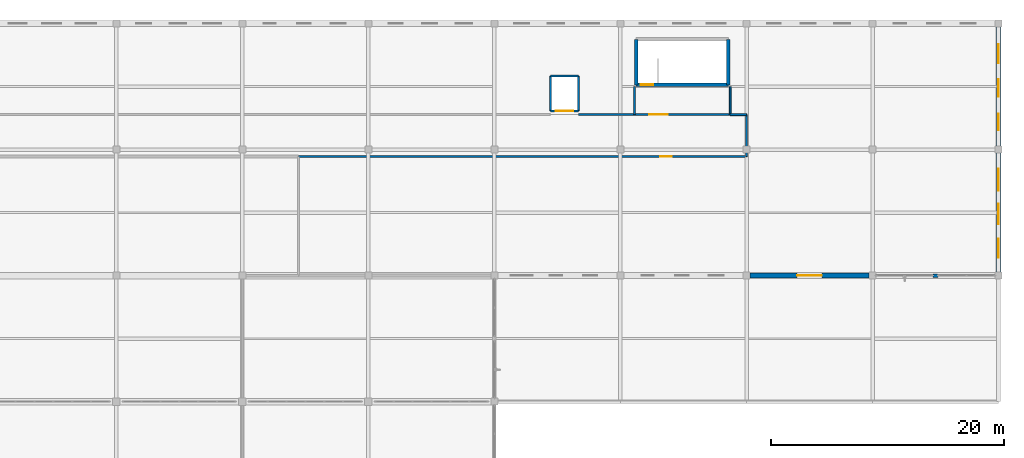
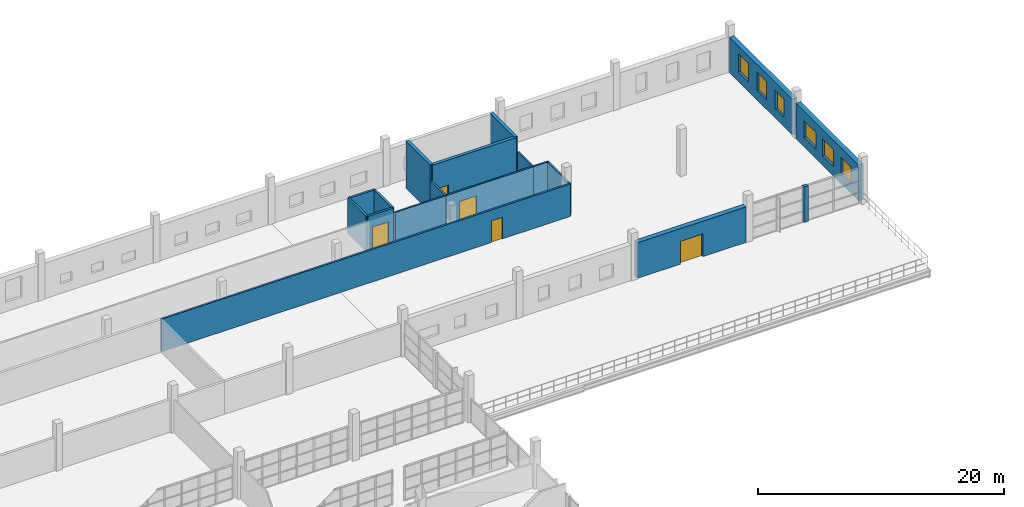
# One storey, part 116 of 142: 18 walls, 6 windows, 5 doors, 11 openings.
"""IFC4 building model written with IfcOpenShell, lengths in metres."""

import ifcopenshell
import ifcopenshell.guid

model = None  # the IFC model being written
_history = None  # IfcOwnerHistory: only IFC2X3 demands one
_inside = {}  # id of a spatial element -> (the spatial element, [elements in it])
_under = {}  # id of a project, library or spatial element -> (it, [spatial elements below it])
_declared = {}  # id of a project -> (the project, [libraries it declares])
_typed = {}  # id of a type object -> (the type object, [elements of that type])
_made_of = {}  # id of a material, layer set ... -> (it, [elements and type objects made of it])


def new_model(schema):
    """Start an empty IFC model of exactly this schema.

    Asked for "IFC4X3", IfcOpenShell would pick the latest addendum, in which some entities
    have other attributes; the version numbers below select the first issue.
    IFC2X3 requires an IfcOwnerHistory on every rooted entity: one is made here for all.
    """
    global model, _history
    if schema == "IFC4X3":
        model = ifcopenshell.file(schema_version=(4, 3, 0, 0))
    else:
        model = ifcopenshell.file(schema=schema)
    _inside.clear()
    _under.clear()
    _declared.clear()
    _typed.clear()
    _made_of.clear()
    _history = None
    if model.schema == "IFC2X3":
        org = make("IfcOrganization", Name="unknown")
        user = make(
            "IfcPersonAndOrganization",
            ThePerson=make("IfcPerson", FamilyName="unknown"),
            TheOrganization=org,
        )
        app = make(
            "IfcApplication",
            ApplicationDeveloper=org,
            Version="unknown",
            ApplicationFullName="unknown",
            ApplicationIdentifier="unknown",
        )
        _history = make(
            "IfcOwnerHistory",
            OwningUser=user,
            OwningApplication=app,
            ChangeAction="ADDED",
            CreationDate=0,
        )
    return model


def make(cls, **values):
    """One entity of the class cls with the attributes given. An attribute that is None is left unset."""
    return model.create_entity(
        cls, **{name: value for name, value in values.items() if value is not None}
    )


def rooted(cls, **values):
    """An entity with a GlobalId (a new one), such as an element, a storey or a relation."""
    return make(cls, GlobalId=ifcopenshell.guid.new(), OwnerHistory=_history, **values)


def si_unit(unit_type, name, prefix=None):
    """IfcSIUnit, for example si_unit("LENGTHUNIT", "METRE", prefix="MILLI")."""
    return make("IfcSIUnit", UnitType=unit_type, Prefix=prefix, Name=name)


def assignment(units):
    """IfcUnitAssignment: the units of a project."""
    return None if units is None else make("IfcUnitAssignment", Units=units)


def point(xyz):
    """IfcCartesianPoint."""
    return None if xyz is None else make("IfcCartesianPoint", Coordinates=xyz)


def direction(xyz):
    """IfcDirection."""
    return None if xyz is None else make("IfcDirection", DirectionRatios=xyz)


def frame(location, z_axis=None, x_axis=None):
    """IfcAxis2Placement3D, a coordinate frame: its origin and axes. An axis left out is left unset."""
    return make(
        "IfcAxis2Placement3D",
        Location=point(location),
        Axis=direction(z_axis),
        RefDirection=direction(x_axis),
    )


def frame_2d(location, x_axis=None):
    """IfcAxis2Placement2D, a coordinate frame in the plane: its origin and x axis."""
    return make(
        "IfcAxis2Placement2D", Location=point(location), RefDirection=direction(x_axis)
    )


def origin():
    """The frame at (0, 0, 0) with its axes left unset."""
    return frame((0.0, 0.0, 0.0))


def place(relative_to, where):
    """IfcLocalPlacement: puts the frame where relative to a parent placement (None: the world)."""
    return make(
        "IfcLocalPlacement", PlacementRelTo=relative_to, RelativePlacement=where
    )


def context(
    kind, dimensions, precision=None, world=None, true_north=None, identifier=None
):
    """IfcGeometricRepresentationContext, for example the 3D "Model" context."""
    return make(
        "IfcGeometricRepresentationContext",
        ContextIdentifier=identifier,
        ContextType=kind,
        CoordinateSpaceDimension=dimensions,
        Precision=precision,
        WorldCoordinateSystem=world,
        TrueNorth=true_north,
    )


def subcontext(parent, identifier, kind, view, scale=None):
    """IfcGeometricRepresentationSubContext, for example "Body" below "Model"."""
    return make(
        "IfcGeometricRepresentationSubContext",
        ContextIdentifier=identifier,
        ContextType=kind,
        ParentContext=parent,
        TargetScale=scale,
        TargetView=view,
    )


def project(units=None, contexts=None):
    """IfcProject with its units and contexts."""
    return rooted(
        "IfcProject",
        Name="project",
        RepresentationContexts=contexts,
        UnitsInContext=assignment(units),
    )


def spatial(cls, under=None, at=None, **own):
    """A site, building, storey or space (cls), placed at a placement, below another one or the project."""
    s = rooted(cls, ObjectPlacement=at, **own)
    if under is not None:
        _under.setdefault(under.id(), (under, []))[1].append(s)
    return s


def profile(cls, at=None, kind="AREA", **sizes):
    """A parametric profile (cls). Its sizes go by their IFC names, for example OverallWidth=200.0."""
    return make(cls, ProfileType=kind, Position=at, **sizes)


def rectangle(**sizes):
    """IfcRectangleProfileDef."""
    return profile("IfcRectangleProfileDef", **sizes)


def extrude(swept, where, along, depth):
    """IfcExtrudedAreaSolid: the profile swept, set in the frame where, extruded along a direction by depth."""
    return make(
        "IfcExtrudedAreaSolid",
        SweptArea=swept,
        Position=where,
        ExtrudedDirection=direction(along),
        Depth=depth,
    )


def shape(context_of_items, identifier, shape_type, items):
    """IfcShapeRepresentation: the items that make up one representation, for example the "Body"."""
    return make(
        "IfcShapeRepresentation",
        ContextOfItems=context_of_items,
        RepresentationIdentifier=identifier,
        RepresentationType=shape_type,
        Items=items,
    )


def material(Name=None, Category=None):
    """IfcMaterial."""
    return make("IfcMaterial", Name=Name, Category=Category)


def layer(
    of_material, thickness, ventilated=None, Name=None, Category=None, Priority=None
):
    """IfcMaterialLayer: one layer of a wall or slab, of a material (None: an air gap)."""
    return make(
        "IfcMaterialLayer",
        Material=of_material,
        LayerThickness=thickness,
        IsVentilated=ventilated,
        Name=Name,
        Category=Category,
        Priority=Priority,
    )


def layer_set(layers, Name=None):
    """IfcMaterialLayerSet."""
    return make("IfcMaterialLayerSet", MaterialLayers=layers, LayerSetName=Name)


def made_of(thing, what):
    """Note that an element or type object is made of a material, layer set ...; save() writes the relation."""
    if what is not None:
        _made_of.setdefault(what.id(), (what, []))[1].append(thing)
    return thing


def type_object(cls, material=None, **own):
    """A type object (cls), such as IfcWallType, which elements share."""
    return made_of(rooted(cls, **own), material)


def element(
    cls,
    number,
    at=None,
    inside=None,
    cuts=None,
    type_object=None,
    material=None,
    context=None,
    identifier="Body",
    shape_type=None,
    held_by="IfcProductDefinitionShape",
    body=None,
    shapes=None,
    **own,
):
    """One element of the class cls, such as IfcWall. Its Tag is "e" and its number.

    at: its placement. inside: the storey or other place that contains it. cuts: it is an
    opening in that element (IfcRelVoidsElement). A single representation is given by context,
    identifier, shape_type and body (its items); several are given by shapes. held_by: the class
    of the entity that holds the representations. save() writes the other relations.
    """
    e = rooted(cls, Tag="e%d" % number, ObjectPlacement=at, **own)
    if body is not None:
        shapes = [shape(context, identifier, shape_type, body)]
    if shapes is not None:
        e.Representation = make(held_by, Representations=shapes)
    if inside is not None:
        _inside.setdefault(inside.id(), (inside, []))[1].append(e)
    if cuts is not None:
        rooted(
            "IfcRelVoidsElement", RelatingBuildingElement=cuts, RelatedOpeningElement=e
        )
    if type_object is not None:
        _typed.setdefault(type_object.id(), (type_object, []))[1].append(e)
    return made_of(e, material)


def fill(opening, filler):
    """IfcRelFillsElement: the door or window that sits in an opening."""
    return rooted(
        "IfcRelFillsElement",
        RelatingOpeningElement=opening,
        RelatedBuildingElement=filler,
    )


def aggregate(whole, parts):
    """IfcRelAggregates: a whole, such as a stair, and the parts it consists of."""
    return rooted("IfcRelAggregates", RelatingObject=whole, RelatedObjects=parts)


def save(model, path):
    """Write the relations noted so far, then the file.

    IfcRelAggregates (storeys below a building ...), IfcRelContainedInSpatialStructure (elements
    in a storey), IfcRelDefinesByType, IfcRelAssociatesMaterial and IfcRelDeclares: one each for
    every whole, place, type object, material and project.
    """
    for whole, parts in _under.values():
        aggregate(whole, parts)
    for where, things in _inside.values():
        rooted(
            "IfcRelContainedInSpatialStructure",
            RelatedElements=things,
            RelatingStructure=where,
        )
    for kind, things in _typed.values():
        rooted("IfcRelDefinesByType", RelatedObjects=things, RelatingType=kind)
    for what, things in _made_of.values():
        rooted("IfcRelAssociatesMaterial", RelatedObjects=things, RelatingMaterial=what)
    for by, libraries in _declared.values():
        rooted("IfcRelDeclares", RelatingContext=by, RelatedDefinitions=libraries)
    model.write(path)


model = new_model("IFC4")

# Units and contexts
model_context = context("Model", 3, precision=1e-05, world=origin(), true_north=direction((0.0, 1.0)))
body_context = subcontext(model_context, "Body", "Model", "MODEL_VIEW")
ifc_project = project(units=[si_unit("LENGTHUNIT", "METRE"), si_unit("AREAUNIT", "SQUARE_METRE"), si_unit("VOLUMEUNIT", "CUBIC_METRE"), si_unit("PLANEANGLEUNIT", "RADIAN"), si_unit("MASSUNIT", "GRAM", prefix="KILO")], contexts=[model_context])

# Site, building, storey
site_placement = place(None, origin())
site = spatial("IfcSite", under=ifc_project, at=site_placement, CompositionType="ELEMENT")
building_placement = place(site_placement, origin())
building = spatial("IfcBuilding", under=site, at=building_placement, Name="Zwinboog Wholesale Market", CompositionType="ELEMENT")
storey_placement = place(building_placement, frame((0.0, 0.0, 5.39990234375)))
storey = spatial("IfcBuildingStorey", under=building, at=storey_placement, Name="L01", CompositionType="ELEMENT", Elevation=5.39990234375)

# Wall, opening, door
ifc_material_1 = material(Name="Precast concrete C45/55", Category="concrete")
ifc_layer_1 = layer(ifc_material_1, 0.455078125)
ifc_layer_set_1 = layer_set([ifc_layer_1], Name="Precast concrete C45/55")
wall_type_1 = type_object("IfcWallType", Name="WT-EW-455", PredefinedType="STANDARD", material=ifc_layer_set_1)
wall_1_placement = place(storey_placement, frame((194.695068359375, 108.0, 0.0), z_axis=(0.0, 0.0, 1.0), x_axis=(1.0, 0.0, 0.0)))
wall_1 = element("IfcWall", 1, at=wall_1_placement, inside=storey, type_object=wall_type_1, Name="EW-05 (WL-EW-L01-180)", PredefinedType="STANDARD", context=body_context, shape_type="SweptSolid", body=[
    extrude(rectangle(XDim=10.2099609375, YDim=0.455078125, at=frame_2d((5.10498046875, 0.0))), origin(), (0.0, 0.0, 1.0), 3.530029296875),
])
opening_1_placement = place(wall_1_placement, frame((4.044921875, 0.0, 0.0)))
opening_1 = element("IfcOpeningElement", 2, at=opening_1_placement, cuts=wall_1, Name="Opening TD-33", PredefinedType="OPENING", context=body_context, shape_type="SweptSolid", body=[
    extrude(rectangle(XDim=2.1201171875, YDim=2.260009765625, at=frame_2d((1.06005859375, 1.1298828125))), frame((0.0, 0.237548828125, 0.0), z_axis=(0.0, -1.0, 0.0), x_axis=(1.0, 0.0, 0.0)), (0.0, 0.0, 1.0), 0.47509765625),
])
ifc_material_2 = material(Name="Insulated powder-coated steel and aluminium door", Category="steel")
door_type_1 = type_object("IfcDoorType", Name="EDT-TR-212", OperationType="DOUBLE_DOOR_SINGLE_SWING", PredefinedType="DOOR", material=ifc_material_2)
door_1_placement = place(opening_1_placement, frame((2.1201171875, 0.0, 0.0), z_axis=(0.0, 0.0, 1.0), x_axis=(-1.0, 0.0, 0.0)))
door_1 = element("IfcDoor", 3, at=door_1_placement, inside=storey, type_object=door_type_1, Name="Terrace Access Door TD-33 (TR-L01-EAST)", OperationType="DOUBLE_DOOR_SINGLE_SWING", OverallHeight=2.260009765625, OverallWidth=2.1201171875, PredefinedType="DOOR", context=body_context, shape_type="SweptSolid", body=[
    extrude(rectangle(XDim=2.1201171875, YDim=2.260009765625, at=frame_2d((1.06005859375, 1.1298828125))), frame((0.0, 0.02490234375, 0.0), z_axis=(0.0, -1.0, 0.0), x_axis=(1.0, 0.0, 0.0)), (0.0, 0.0, 1.0), 0.050048828125),
])
fill(opening_1, door_1)

# Wall, openings, windows
wall_2_placement = place(storey_placement, frame((216.0, 108.294921875, 0.0), z_axis=(0.0, 0.0, 1.0), x_axis=(0.0, 1.0, 0.0)))
wall_2 = element("IfcWall", 4, at=wall_2_placement, inside=storey, type_object=wall_type_1, Name="EW-05 (WL-EW-L01-188)", PredefinedType="STANDARD", context=body_context, shape_type="SweptSolid", body=[
    extrude(rectangle(XDim=10.2099609375, YDim=0.455078125, at=frame_2d((5.10498046875, 0.0))), origin(), (0.0, 0.0, 1.0), 3.530029296875),
])
opening_2_placement = place(wall_2_placement, frame((1.22509765625, 0.0, 0.949951171875)))
opening_2 = element("IfcOpeningElement", 5, at=opening_2_placement, cuts=wall_2, Name="Opening WN-46", PredefinedType="OPENING", context=body_context, shape_type="SweptSolid", body=[
    extrude(rectangle(XDim=1.64990234375, YDim=1.64990234375, at=frame_2d((0.824951171875, 0.824951171875))), frame((0.0, 0.237548828125, 0.0), z_axis=(0.0, -1.0, 0.0), x_axis=(1.0, 0.0, 0.0)), (0.0, 0.0, 1.0), 0.47509765625),
])
opening_3_placement = place(wall_2_placement, frame((4.094970703125, 0.0, 0.949951171875)))
opening_3 = element("IfcOpeningElement", 6, at=opening_3_placement, cuts=wall_2, Name="Opening WN-47", PredefinedType="OPENING", context=body_context, shape_type="SweptSolid", body=[
    extrude(rectangle(XDim=1.77001953125, YDim=1.64990234375, at=frame_2d((0.885009765625, 0.824951171875))), frame((0.0, 0.237548828125, 0.0), z_axis=(0.0, -1.0, 0.0), x_axis=(1.0, 0.0, 0.0)), (0.0, 0.0, 1.0), 0.47509765625),
])
opening_4_placement = place(wall_2_placement, frame((6.965087890625, 0.0, 0.949951171875)))
opening_4 = element("IfcOpeningElement", 7, at=opening_4_placement, cuts=wall_2, Name="Opening WN-48", PredefinedType="OPENING", context=body_context, shape_type="SweptSolid", body=[
    extrude(rectangle(XDim=1.889892578125, YDim=1.64990234375, at=frame_2d((0.94482421875, 0.824951171875))), frame((0.0, 0.237548828125, 0.0), z_axis=(0.0, -1.0, 0.0), x_axis=(1.0, 0.0, 0.0)), (0.0, 0.0, 1.0), 0.47509765625),
])
ifc_material_3 = material(Name="Thermally broken aluminium low-e window", Category="aluminium")
window_type_1 = type_object("IfcWindowType", Name="WNT-46", PartitioningType="SINGLE_PANEL", PredefinedType="WINDOW", material=ifc_material_3)
window_1_placement = place(opening_2_placement, frame((1.64990234375, 0.0, 0.0), z_axis=(0.0, 0.0, 1.0), x_axis=(-1.0, 0.0, 0.0)))
window_1 = element("IfcWindow", 8, at=window_1_placement, inside=storey, type_object=window_type_1, Name="WN-46 (WIN-L01-0190)", OverallHeight=1.64990234375, OverallWidth=1.64990234375, PartitioningType="SINGLE_PANEL", PredefinedType="WINDOW", context=body_context, shape_type="SweptSolid", body=[
    extrude(rectangle(XDim=1.64990234375, YDim=1.64990234375, at=frame_2d((0.824951171875, 0.824951171875))), frame((0.0, 0.030029296875, 0.0), z_axis=(0.0, -1.0, 0.0), x_axis=(1.0, 0.0, 0.0)), (0.0, 0.0, 1.0), 0.06005859375),
])
fill(opening_2, window_1)
window_type_2 = type_object("IfcWindowType", Name="WNT-47", PartitioningType="SINGLE_PANEL", PredefinedType="WINDOW", material=ifc_material_3)
window_2_placement = place(opening_3_placement, frame((1.77001953125, 0.0, 0.0), z_axis=(0.0, 0.0, 1.0), x_axis=(-1.0, 0.0, 0.0)))
window_2 = element("IfcWindow", 9, at=window_2_placement, inside=storey, type_object=window_type_2, Name="WN-47 (WIN-L01-0191)", OverallHeight=1.64990234375, OverallWidth=1.77001953125, PartitioningType="SINGLE_PANEL", PredefinedType="WINDOW", context=body_context, shape_type="SweptSolid", body=[
    extrude(rectangle(XDim=1.77001953125, YDim=1.64990234375, at=frame_2d((0.885009765625, 0.824951171875))), frame((0.0, 0.030029296875, 0.0), z_axis=(0.0, -1.0, 0.0), x_axis=(1.0, 0.0, 0.0)), (0.0, 0.0, 1.0), 0.06005859375),
])
fill(opening_3, window_2)
window_type_3 = type_object("IfcWindowType", Name="WNT-48", PartitioningType="SINGLE_PANEL", PredefinedType="WINDOW", material=ifc_material_3)
window_3_placement = place(opening_4_placement, frame((1.889892578125, 0.0, 0.0), z_axis=(0.0, 0.0, 1.0), x_axis=(-1.0, 0.0, 0.0)))
window_3 = element("IfcWindow", 10, at=window_3_placement, inside=storey, type_object=window_type_3, Name="WN-48 (WIN-L01-0192)", OverallHeight=1.64990234375, OverallWidth=1.889892578125, PartitioningType="SINGLE_PANEL", PredefinedType="WINDOW", context=body_context, shape_type="SweptSolid", body=[
    extrude(rectangle(XDim=1.889892578125, YDim=1.64990234375, at=frame_2d((0.94482421875, 0.824951171875))), frame((0.0, 0.030029296875, 0.0), z_axis=(0.0, -1.0, 0.0), x_axis=(1.0, 0.0, 0.0)), (0.0, 0.0, 1.0), 0.06005859375),
])
fill(opening_4, window_3)

wall_3_placement = place(storey_placement, frame((216.0, 119.094970703125, 0.0), z_axis=(0.0, 0.0, 1.0), x_axis=(0.0, 1.0, 0.0)))
wall_3 = element("IfcWall", 11, at=wall_3_placement, inside=storey, type_object=wall_type_1, Name="EW-05 (WL-EW-L01-190)", PredefinedType="STANDARD", context=body_context, shape_type="SweptSolid", body=[
    extrude(rectangle(XDim=10.2099609375, YDim=0.455078125, at=frame_2d((5.10498046875, 0.0))), origin(), (0.0, 0.0, 1.0), 3.530029296875),
])
opening_5_placement = place(wall_3_placement, frame((1.344970703125, 0.0, 0.949951171875)))
opening_5 = element("IfcOpeningElement", 12, at=opening_5_placement, cuts=wall_3, Name="Opening WN-52", PredefinedType="OPENING", context=body_context, shape_type="SweptSolid", body=[
    extrude(rectangle(XDim=1.409912109375, YDim=1.800048828125, at=frame_2d((0.705078125, 0.89990234375))), frame((0.0, 0.237548828125, 0.0), z_axis=(0.0, -1.0, 0.0), x_axis=(1.0, 0.0, 0.0)), (0.0, 0.0, 1.0), 0.47509765625),
])
opening_6_placement = place(wall_3_placement, frame((4.215087890625, 0.0, 0.949951171875)))
opening_6 = element("IfcOpeningElement", 13, at=opening_6_placement, cuts=wall_3, Name="Opening WN-53", PredefinedType="OPENING", context=body_context, shape_type="SweptSolid", body=[
    extrude(rectangle(XDim=1.530029296875, YDim=1.800048828125, at=frame_2d((0.76513671875, 0.89990234375))), frame((0.0, 0.237548828125, 0.0), z_axis=(0.0, -1.0, 0.0), x_axis=(1.0, 0.0, 0.0)), (0.0, 0.0, 1.0), 0.47509765625),
])
opening_7_placement = place(wall_3_placement, frame((7.0849609375, 0.0, 0.949951171875)))
opening_7 = element("IfcOpeningElement", 14, at=opening_7_placement, cuts=wall_3, Name="Opening WN-54", PredefinedType="OPENING", context=body_context, shape_type="SweptSolid", body=[
    extrude(rectangle(XDim=1.64990234375, YDim=1.800048828125, at=frame_2d((0.824951171875, 0.89990234375))), frame((0.0, 0.237548828125, 0.0), z_axis=(0.0, -1.0, 0.0), x_axis=(1.0, 0.0, 0.0)), (0.0, 0.0, 1.0), 0.47509765625),
])
window_type_4 = type_object("IfcWindowType", Name="WNT-52", PartitioningType="SINGLE_PANEL", PredefinedType="WINDOW", material=ifc_material_3)
window_4_placement = place(opening_5_placement, frame((1.409912109375, 0.0, 0.0), z_axis=(0.0, 0.0, 1.0), x_axis=(-1.0, 0.0, 0.0)))
window_4 = element("IfcWindow", 15, at=window_4_placement, inside=storey, type_object=window_type_4, Name="WN-52 (WIN-L01-0196)", OverallHeight=1.800048828125, OverallWidth=1.409912109375, PartitioningType="SINGLE_PANEL", PredefinedType="WINDOW", context=body_context, shape_type="SweptSolid", body=[
    extrude(rectangle(XDim=1.409912109375, YDim=1.800048828125, at=frame_2d((0.705078125, 0.89990234375))), frame((0.0, 0.030029296875, 0.0), z_axis=(0.0, -1.0, 0.0), x_axis=(1.0, 0.0, 0.0)), (0.0, 0.0, 1.0), 0.06005859375),
])
fill(opening_5, window_4)
window_type_5 = type_object("IfcWindowType", Name="WNT-53", PartitioningType="SINGLE_PANEL", PredefinedType="WINDOW", material=ifc_material_3)
window_5_placement = place(opening_6_placement, frame((1.530029296875, 0.0, 0.0), z_axis=(0.0, 0.0, 1.0), x_axis=(-1.0, 0.0, 0.0)))
window_5 = element("IfcWindow", 16, at=window_5_placement, inside=storey, type_object=window_type_5, Name="WN-53 (WIN-L01-0197)", OverallHeight=1.800048828125, OverallWidth=1.530029296875, PartitioningType="SINGLE_PANEL", PredefinedType="WINDOW", context=body_context, shape_type="SweptSolid", body=[
    extrude(rectangle(XDim=1.530029296875, YDim=1.800048828125, at=frame_2d((0.76513671875, 0.89990234375))), frame((0.0, 0.030029296875, 0.0), z_axis=(0.0, -1.0, 0.0), x_axis=(1.0, 0.0, 0.0)), (0.0, 0.0, 1.0), 0.06005859375),
])
fill(opening_6, window_5)
window_type_6 = type_object("IfcWindowType", Name="WNT-54", PartitioningType="SINGLE_PANEL", PredefinedType="WINDOW", material=ifc_material_3)
window_6_placement = place(opening_7_placement, frame((1.64990234375, 0.0, 0.0), z_axis=(0.0, 0.0, 1.0), x_axis=(-1.0, 0.0, 0.0)))
window_6 = element("IfcWindow", 17, at=window_6_placement, inside=storey, type_object=window_type_6, Name="WN-54 (WIN-L01-0198)", OverallHeight=1.800048828125, OverallWidth=1.64990234375, PartitioningType="SINGLE_PANEL", PredefinedType="WINDOW", context=body_context, shape_type="SweptSolid", body=[
    extrude(rectangle(XDim=1.64990234375, YDim=1.800048828125, at=frame_2d((0.824951171875, 0.89990234375))), frame((0.0, 0.030029296875, 0.0), z_axis=(0.0, -1.0, 0.0), x_axis=(1.0, 0.0, 0.0)), (0.0, 0.0, 1.0), 0.06005859375),
])
fill(opening_7, window_6)

# Wall
ifc_layer_2 = layer(ifc_material_1, 0.304931640625)
ifc_layer_set_2 = layer_set([ifc_layer_2], Name="Precast concrete C45/55")
wall_type_2 = type_object("IfcWallType", Name="WT-EW-305", PredefinedType="STANDARD", material=ifc_layer_set_2)
wall_4_placement = place(storey_placement, frame((210.39990234375, 108.0, 0.0), z_axis=(0.0, 0.0, 1.0), x_axis=(1.0, 0.0, 0.0)))
element("IfcWall", 18, at=wall_4_placement, inside=storey, type_object=wall_type_2, Name="EW-07 (WL-PIER-L01-187)", PredefinedType="STANDARD", context=body_context, shape_type="SweptSolid", body=[
    extrude(rectangle(XDim=0.400146484375, YDim=0.304931640625, at=frame_2d((0.2001953125, 0.0))), origin(), (0.0, 0.0, 1.0), 3.530029296875),
])

# Wall, opening, door
ifc_material_4 = material(Name="Concrete C40/50", Category="concrete")
ifc_layer_3 = layer(ifc_material_4, 0.300048828125)
ifc_layer_set_3 = layer_set([ifc_layer_3], Name="Concrete C40/50")
wall_type_3 = type_object("IfcWallType", Name="WT-SW-300", PredefinedType="SHEAR", material=ifc_layer_set_3)
wall_5_placement = place(storey_placement, frame((184.949951171875, 124.35009765625, 0.0), z_axis=(0.0, 0.0, 1.0), x_axis=(1.0, 0.0, 0.0)))
wall_5 = element("IfcWall", 19, at=wall_5_placement, inside=storey, type_object=wall_type_3, Name="SW-02 (WL-SW-L01-037)", PredefinedType="SHEAR", context=body_context, shape_type="SweptSolid", body=[
    extrude(rectangle(XDim=7.900146484375, YDim=0.300048828125, at=frame_2d((3.9501953125, 0.0))), origin(), (0.0, 0.0, 1.0), 4.68017578125),
])
opening_8_placement = place(wall_5_placement, frame((0.3798828125, 0.0, 0.0)))
opening_8 = element("IfcOpeningElement", 20, at=opening_8_placement, cuts=wall_5, Name="Opening FD-0010", PredefinedType="OPENING", context=body_context, shape_type="SweptSolid", body=[
    extrude(rectangle(XDim=1.10009765625, YDim=2.199951171875, at=frame_2d((0.550048828125, 1.10009765625))), frame((0.0, 0.159912109375, 0.0), z_axis=(0.0, -1.0, 0.0), x_axis=(1.0, 0.0, 0.0)), (0.0, 0.0, 1.0), 0.320068359375),
])
ifc_material_5 = material(Name="Timber and powder-coated steel door leaf", Category="steel")
door_type_2 = type_object("IfcDoorType", Name="IDT-FD-02", OperationType="NOTDEFINED", PredefinedType="DOOR", material=ifc_material_5)
door_2_placement = place(opening_8_placement, frame((1.10009765625, 0.0, 0.0), z_axis=(0.0, 0.0, 1.0), x_axis=(-1.0, 0.0, 0.0)))
door_2 = element("IfcDoor", 21, at=door_2_placement, inside=storey, type_object=door_type_2, Name="Core Fire Door FD-0010", OperationType="SINGLE_SWING_LEFT", OverallHeight=2.199951171875, OverallWidth=1.10009765625, PredefinedType="DOOR", context=body_context, shape_type="SweptSolid", body=[
    extrude(rectangle(XDim=1.10009765625, YDim=2.199951171875, at=frame_2d((0.550048828125, 1.10009765625))), frame((0.0, 0.02490234375, 0.0), z_axis=(0.0, -1.0, 0.0), x_axis=(1.0, 0.0, 0.0)), (0.0, 0.0, 1.0), 0.050048828125),
])
fill(opening_8, door_2)

# Walls
for number, where, z_axis, x_axis, name in (
    (22, (184.949951171875, 124.35009765625, 0.0), (0.0, 0.0, 1.0), (0.0, 1.0, 0.0), "SW-02 (WL-SW-L01-039)"),
    (23, (192.85009765625, 124.35009765625, 0.0), (0.0, 0.0, 1.0), (0.0, 1.0, 0.0), "SW-02 (WL-SW-L01-040)"),
):
    element("IfcWall", number, at=place(storey_placement, frame(where, z_axis=z_axis, x_axis=x_axis)), inside=storey, type_object=wall_type_3, Name=name, PredefinedType="SHEAR", context=body_context, shape_type="SweptSolid", body=[
        extrude(rectangle(XDim=3.89990234375, YDim=0.300048828125, at=frame_2d((1.949951171875, 0.0))), origin(), (0.0, 0.0, 1.0), 4.68017578125),
    ])

# Wall, opening, door
ifc_layer_4 = layer(ifc_material_1, 0.179931640625)
ifc_layer_set_4 = layer_set([ifc_layer_4], Name="Precast concrete C45/55")
wall_type_4 = type_object("IfcWallType", Name="WT-IW-180", PredefinedType="PARTITIONING", material=ifc_layer_set_4)
wall_6_placement = place(storey_placement, frame((156.0, 118.199951171875, 0.0), z_axis=(0.0, 0.0, 1.0), x_axis=(1.0, 0.0, 0.0)))
wall_6 = element("IfcWall", 24, at=wall_6_placement, inside=storey, type_object=wall_type_4, Name="IW-01 (WL-IN-L01-0148)", PredefinedType="PARTITIONING", context=body_context, shape_type="SweptSolid", body=[
    extrude(rectangle(XDim=38.39990234375, YDim=0.179931640625, at=frame_2d((19.199951171875, 0.0))), origin(), (0.0, 0.0, 1.0), 3.22998046875),
])
opening_9_placement = place(wall_6_placement, frame((30.988037109375, 0.0, 0.0)))
opening_9 = element("IfcOpeningElement", 25, at=opening_9_placement, cuts=wall_6, Name="Opening IDF-0075", PredefinedType="OPENING", context=body_context, shape_type="SweptSolid", body=[
    extrude(rectangle(XDim=1.0, YDim=2.14990234375, at=frame_2d((0.5, 1.074951171875))), frame((0.0, 0.099853515625, 0.0), z_axis=(0.0, -1.0, 0.0), x_axis=(1.0, 0.0, 0.0)), (0.0, 0.0, 1.0), 0.199951171875),
])
door_type_3 = type_object("IfcDoorType", Name="IDT-FD-01", OperationType="NOTDEFINED", PredefinedType="DOOR", material=ifc_material_5)
door_3_placement = place(opening_9_placement, frame((1.0, 0.0, 0.0), z_axis=(0.0, 0.0, 1.0), x_axis=(-1.0, 0.0, 0.0)))
door_3 = element("IfcDoor", 26, at=door_3_placement, inside=storey, type_object=door_type_3, Name="Interior Door IDF-0075", OperationType="SINGLE_SWING_RIGHT", OverallHeight=2.14990234375, OverallWidth=1.0, PredefinedType="DOOR", context=body_context, shape_type="SweptSolid", body=[
    extrude(rectangle(XDim=1.0, YDim=2.14990234375, at=frame_2d((0.5, 1.074951171875))), frame((0.0, 0.02490234375, 0.0), z_axis=(0.0, -1.0, 0.0), x_axis=(1.0, 0.0, 0.0)), (0.0, 0.0, 1.0), 0.050048828125),
])
fill(opening_9, door_3)

ifc_layer_5 = layer(ifc_material_1, 0.199951171875)
ifc_layer_set_5 = layer_set([ifc_layer_5], Name="Precast concrete C45/55")
wall_type_5 = type_object("IfcWallType", Name="WT-IW-200", PredefinedType="SOLIDWALL", material=ifc_layer_set_5)
wall_7_placement = place(storey_placement, frame((177.60009765625, 122.10009765625, 0.0), z_axis=(0.0, 0.0, 1.0), x_axis=(1.0, 0.0, 0.0)))
wall_7 = element("IfcWall", 27, at=wall_7_placement, inside=storey, type_object=wall_type_5, Name="IW-60 (WL-LSH-L01-249)", PredefinedType="SOLIDWALL", context=body_context, shape_type="SweptSolid", body=[
    extrude(rectangle(XDim=2.39990234375, YDim=0.199951171875, at=frame_2d((1.199951171875, 0.0))), origin(), (0.0, 0.0, 1.0), 3.5),
])
opening_10_placement = place(wall_7_placement, frame((0.449951171875, 0.0, 0.0)))
opening_10 = element("IfcOpeningElement", 28, at=opening_10_placement, cuts=wall_7, Name="Opening LD-021", PredefinedType="OPENING", context=body_context, shape_type="SweptSolid", body=[
    extrude(rectangle(XDim=1.5, YDim=2.300048828125, at=frame_2d((0.75, 1.14990234375))), frame((0.0, 0.10986328125, 0.0), z_axis=(0.0, -1.0, 0.0), x_axis=(1.0, 0.0, 0.0)), (0.0, 0.0, 1.0), 0.219970703125),
])
door_type_4 = type_object("IfcDoorType", Name="IDT-LD-150", OperationType="DOUBLE_DOOR_SLIDING", PredefinedType="DOOR", material=ifc_material_5)
door_4_placement = place(opening_10_placement, origin())
door_4 = element("IfcDoor", 29, at=door_4_placement, inside=storey, type_object=door_type_4, Name="Lift Landing Door LD-021 (LG-03)", OperationType="DOUBLE_DOOR_SLIDING", OverallHeight=2.300048828125, OverallWidth=1.5, PredefinedType="DOOR", context=body_context, shape_type="SweptSolid", body=[
    extrude(rectangle(XDim=1.5, YDim=2.300048828125, at=frame_2d((0.75, 1.14990234375))), frame((0.0, 0.02490234375, 0.0), z_axis=(0.0, -1.0, 0.0), x_axis=(1.0, 0.0, 0.0)), (0.0, 0.0, 1.0), 0.050048828125),
])
fill(opening_10, door_4)

# Walls
wall_8_placement = place(storey_placement, frame((177.60009765625, 125.10009765625, 0.0), z_axis=(0.0, 0.0, 1.0), x_axis=(1.0, 0.0, 0.0)))
element("IfcWall", 30, at=wall_8_placement, inside=storey, type_object=wall_type_5, Name="IW-60 (WL-LSH-L01-250)", PredefinedType="SOLIDWALL", context=body_context, shape_type="SweptSolid", body=[
    extrude(rectangle(XDim=2.39990234375, YDim=0.199951171875, at=frame_2d((1.199951171875, 0.0))), origin(), (0.0, 0.0, 1.0), 3.5),
])
for number, where, z_axis, x_axis, name in (
    (31, (177.60009765625, 122.10009765625, 0.0), (0.0, 0.0, 1.0), (0.0, 1.0, 0.0), "IW-60 (WL-LSH-L01-251)"),
    (32, (180.0, 122.10009765625, 0.0), (0.0, 0.0, 1.0), (0.0, 1.0, 0.0), "IW-60 (WL-LSH-L01-252)"),
):
    element("IfcWall", number, at=place(storey_placement, frame(where, z_axis=z_axis, x_axis=x_axis)), inside=storey, type_object=wall_type_5, Name=name, PredefinedType="SOLIDWALL", context=body_context, shape_type="SweptSolid", body=[
        extrude(rectangle(XDim=3.0, YDim=0.199951171875, at=frame_2d((1.5, 0.0))), origin(), (0.0, 0.0, 1.0), 3.5),
    ])

# Wall, opening, door
ifc_material_6 = material(Name="Fire-rated corridor stud partition")
ifc_layer_6 = layer(ifc_material_6, 0.154052734375)
ifc_layer_set_6 = layer_set([ifc_layer_6], Name="Fire-rated corridor stud partition")
wall_type_6 = type_object("IfcWallType", Name="WT-PT-154", PredefinedType="PARTITIONING", material=ifc_layer_set_6)
wall_9_placement = place(storey_placement, frame((184.800048828125, 121.800048828125, 0.0), z_axis=(0.0, 0.0, 1.0), x_axis=(1.0, 0.0, 0.0)))
wall_9 = element("IfcWall", 33, at=wall_9_placement, inside=storey, type_object=wall_type_6, Name="PW-04 (WL-IN-L01-0125)", PredefinedType="PARTITIONING", context=body_context, shape_type="SweptSolid", body=[
    extrude(rectangle(XDim=8.199951171875, YDim=0.154052734375, at=frame_2d((4.10009765625, 0.0))), origin(), (0.0, 0.0, 1.0), 3.22998046875),
])
opening_11_placement = place(wall_9_placement, frame((1.25, 0.0, 0.0)))
opening_11 = element("IfcOpeningElement", 34, at=opening_11_placement, cuts=wall_9, Name="Opening IDF-0056", PredefinedType="OPENING", context=body_context, shape_type="SweptSolid", body=[
    extrude(rectangle(XDim=1.60009765625, YDim=2.199951171875, at=frame_2d((0.800048828125, 1.10009765625))), frame((0.0, 0.0869140625, 0.0), z_axis=(0.0, -1.0, 0.0), x_axis=(1.0, 0.0, 0.0)), (0.0, 0.0, 1.0), 0.174072265625),
])
door_type_5 = type_object("IfcDoorType", Name="IDT-FD-03", OperationType="DOUBLE_DOOR_SINGLE_SWING", PredefinedType="DOOR", material=ifc_material_5)
door_5_placement = place(opening_11_placement, origin())
door_5 = element("IfcDoor", 35, at=door_5_placement, inside=storey, type_object=door_type_5, Name="Interior Door IDF-0056", OperationType="DOUBLE_DOOR_SINGLE_SWING", OverallHeight=2.199951171875, OverallWidth=1.60009765625, PredefinedType="DOOR", context=body_context, shape_type="SweptSolid", body=[
    extrude(rectangle(XDim=1.60009765625, YDim=2.199951171875, at=frame_2d((0.800048828125, 1.10009765625))), frame((0.0, 0.02490234375, 0.0), z_axis=(0.0, -1.0, 0.0), x_axis=(1.0, 0.0, 0.0)), (0.0, 0.0, 1.0), 0.050048828125),
])
fill(opening_11, door_5)

# Walls
wall_10_placement = place(storey_placement, frame((180.02001953125, 121.800048828125, 0.0), z_axis=(0.0, 0.0, 1.0), x_axis=(1.0, 0.0, 0.0)))
element("IfcWall", 36, at=wall_10_placement, inside=storey, type_object=wall_type_6, Name="PW-04 (WL-IN-L01-0207)", PredefinedType="PARTITIONING", context=body_context, shape_type="SweptSolid", body=[
    extrude(rectangle(XDim=4.780029296875, YDim=0.154052734375, at=frame_2d((2.39013671875, 0.0))), origin(), (0.0, 0.0, 1.0), 3.22998046875),
])
for number, where, z_axis, x_axis, name in (
    (37, (184.800048828125, 121.800048828125, 0.0), (0.0, 0.0, 1.0), (0.0, 1.0, 0.0), "PW-04 (WL-IN-L01-0231)"),
    (38, (193.0, 121.800048828125, 0.0), (0.0, 0.0, 1.0), (0.0, 1.0, 0.0), "PW-04 (WL-IN-L01-0233)"),
):
    element("IfcWall", number, at=place(storey_placement, frame(where, z_axis=z_axis, x_axis=x_axis)), inside=storey, type_object=wall_type_6, Name=name, PredefinedType="PARTITIONING", context=body_context, shape_type="SweptSolid", body=[
        extrude(rectangle(XDim=2.39990234375, YDim=0.154052734375, at=frame_2d((1.199951171875, 0.0))), origin(), (0.0, 0.0, 1.0), 3.22998046875),
    ])
ifc_material_7 = material(Name="Laboratory acoustic partition")
ifc_layer_7 = layer(ifc_material_7, 0.16796875)
ifc_layer_set_7 = layer_set([ifc_layer_7], Name="Laboratory acoustic partition")
wall_type_7 = type_object("IfcWallType", Name="WT-PT-168", PredefinedType="PARTITIONING", material=ifc_layer_set_7)
wall_11_placement = place(storey_placement, frame((193.0, 121.800048828125, 0.0), z_axis=(0.0, 0.0, 1.0), x_axis=(1.0, 0.0, 0.0)))
element("IfcWall", 39, at=wall_11_placement, inside=storey, type_object=wall_type_7, Name="PW-05 (WL-IN-L01-0232)", PredefinedType="PARTITIONING", context=body_context, shape_type="SweptSolid", body=[
    extrude(rectangle(XDim=1.39990234375, YDim=0.16796875, at=frame_2d((0.699951171875, 0.0))), origin(), (0.0, 0.0, 1.0), 3.22998046875),
])
wall_12_placement = place(storey_placement, frame((194.39990234375, 118.199951171875, 0.0), z_axis=(0.0, 0.0, 1.0), x_axis=(0.0, 1.0, 0.0)))
element("IfcWall", 40, at=wall_12_placement, inside=storey, type_object=wall_type_7, Name="PW-05 (WL-IN-L01-0234)", PredefinedType="PARTITIONING", context=body_context, shape_type="SweptSolid", body=[
    extrude(rectangle(XDim=3.60009765625, YDim=0.16796875, at=frame_2d((1.800048828125, 0.0))), origin(), (0.0, 0.0, 1.0), 3.22998046875),
])

save(model, "model.ifc")
